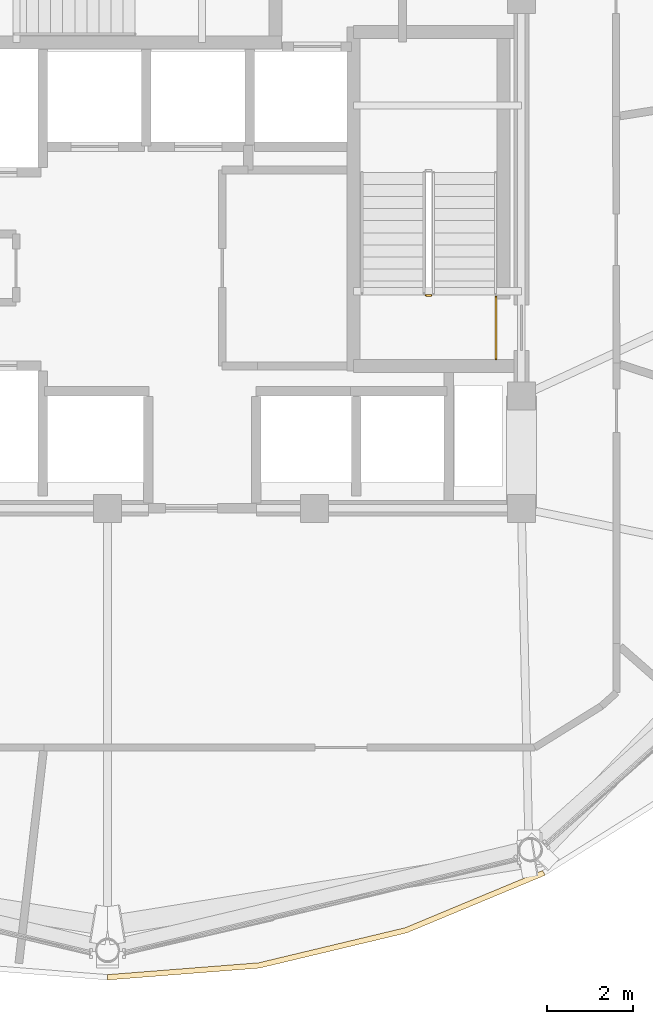
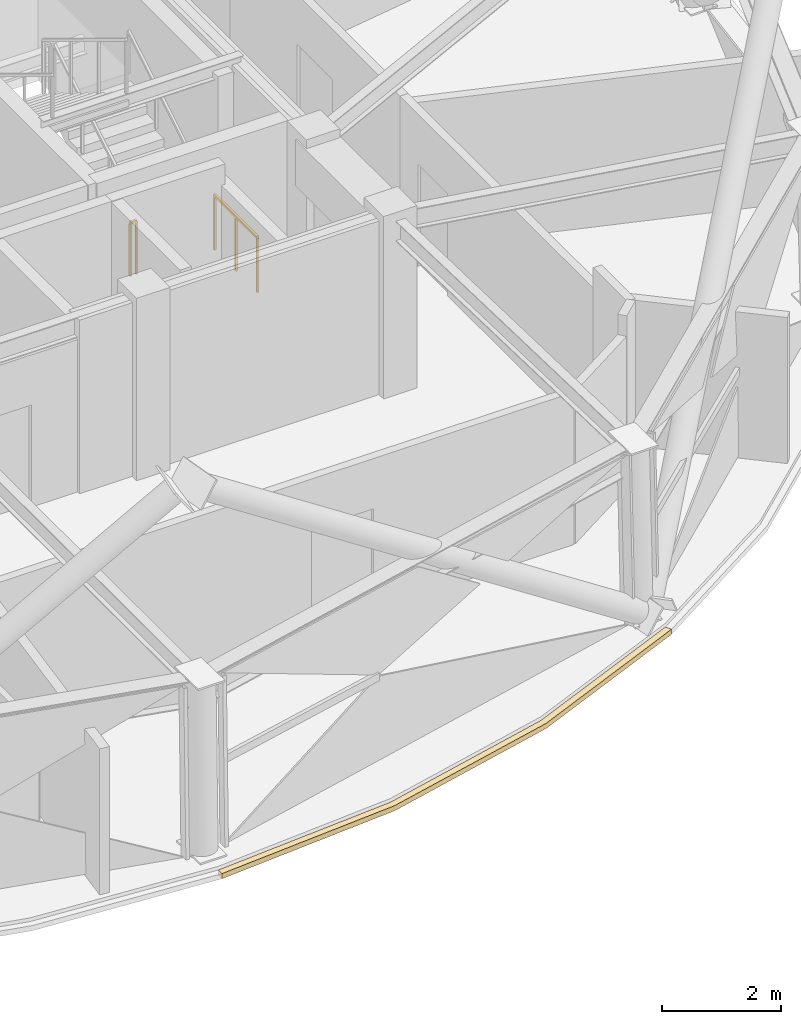
# One storey, part 13 of 15: 2 railings, 1 covering.
"""IFC4 building model written with IfcOpenShell, lengths in metres."""

from ifc_helpers import new_model, si_unit, direction, frame, origin, origin_2d, place, context, subcontext, project, spatial, polyline, rectangle, outline, extrude, material, layer, layer_set, type_object, element, save


model = new_model("IFC4")

# Units and contexts
model_context = context("Model", 3, precision=1e-05, world=origin(), true_north=direction((0.0, 1.0)))
body_context = subcontext(model_context, "Body", "Model", "MODEL_VIEW")
ifc_project = project(units=[si_unit("LENGTHUNIT", "METRE"), si_unit("AREAUNIT", "SQUARE_METRE"), si_unit("VOLUMEUNIT", "CUBIC_METRE"), si_unit("PLANEANGLEUNIT", "RADIAN"), si_unit("MASSUNIT", "GRAM", prefix="KILO")], contexts=[model_context])

# Site, building, storey
site_placement = place(None, origin())
site = spatial("IfcSite", under=ifc_project, at=site_placement, CompositionType="ELEMENT")
building_placement = place(site_placement, origin())
building = spatial("IfcBuilding", under=site, at=building_placement, Name="Vantalir Tower", CompositionType="ELEMENT")
storey_placement = place(building_placement, frame((0.0, 0.0, 275.10009765625)))
storey = spatial("IfcBuildingStorey", under=building, at=storey_placement, Name="L69", CompositionType="ELEMENT", Elevation=275.10009765625)

# Covering
ifc_material_1 = material(Name="Anodised champagne aluminium sill fascia", Category="aluminium")
ifc_layer = layer(ifc_material_1, 0.125)
ifc_layer_set = layer_set([ifc_layer], Name="Anodised champagne aluminium sill fascia")
covering_type = type_object("IfcCoveringType", Name="COV-SLAB-FASCIA-125", PredefinedType="CLADDING", material=ifc_layer_set)
covering_placement = place(storey_placement, frame((0.0, 0.0, -0.18017578125)))
element("IfcCovering", 1, at=covering_placement, inside=storey, type_object=covering_type, Name="L69 Perimeter Slab-Edge Sill Fascia 10", PredefinedType="CLADDING", context=body_context, shape_type="SweptSolid", body=[
    extrude(outline(polyline([(31.5, 6.85693359375), (35.02587890625, 7.133056640625), (38.445068359375, 7.950927734375), (41.653076171875, 9.2880859375), (41.590087890625, 9.39599609375), (38.402099609375, 8.069091796875), (35.00390625, 7.256103515625), (31.5, 6.98193359375), (31.5, 6.85693359375)])), origin(), (0.0, 0.0, 1.0), 0.10498046875),
])

# Railings
ifc_material_2 = material(Name="Anodised aluminium and stainless steel guard", Category="steel")
railing_type = type_object("IfcRailingType", Name="RAL-GUARD-1120", PredefinedType="GUARDRAIL", material=ifc_material_2)
railing_1_placement = place(storey_placement, frame((39.010009765625, 22.739990234375, 0.0)))
element("IfcRailing", 2, at=railing_1_placement, inside=storey, type_object=railing_type, Name="L69 ST2 stair guard 4", PredefinedType="GUARDRAIL", context=body_context, shape_type="SweptSolid", body=[
    extrude(rectangle(XDim=0.048095703125, YDim=0.048095703125, at=origin_2d()), frame((0.0, 0.0, 1.09619140625), z_axis=(-1.0, 0.0, 0.0), x_axis=(0.0, -1.0, 0.0)), (0.0, 0.0, 1.0), 0.1201171875),
    extrude(rectangle(XDim=0.0419921875, YDim=0.0419921875, at=origin_2d()), origin(), (0.0, 0.0, 1.0), 1.072021484375),
    extrude(rectangle(XDim=0.0419921875, YDim=0.0419921875, at=origin_2d()), frame((-0.1201171875, 0.0, 0.0)), (0.0, 0.0, 1.0), 1.072021484375),
])
railing_2_placement = place(storey_placement, frame((40.510009765625, 21.260009765625, 0.0)))
element("IfcRailing", 3, at=railing_2_placement, inside=storey, type_object=railing_type, Name="L69 Stair ST2 Doorway Landing Guard", PredefinedType="GUARDRAIL", context=body_context, shape_type="SweptSolid", body=[
    extrude(rectangle(XDim=0.048095703125, YDim=0.048095703125, at=origin_2d()), frame((0.0, 0.0, 1.1259765625), z_axis=(0.0, 1.0, 0.0), x_axis=(-1.0, 0.0, 0.0)), (0.0, 0.0, 1.0), 1.43994140625),
    extrude(rectangle(XDim=0.0419921875, YDim=0.0419921875, at=origin_2d()), origin(), (0.0, 0.0, 1.0), 1.101806640625),
    extrude(rectangle(XDim=0.0419921875, YDim=0.0419921875, at=origin_2d()), frame((0.0, 0.719970703125, 0.0)), (0.0, 0.0, 1.0), 1.101806640625),
    extrude(rectangle(XDim=0.0419921875, YDim=0.0419921875, at=origin_2d()), frame((0.0, 1.43994140625, 0.0)), (0.0, 0.0, 1.0), 1.101806640625),
])

save(model, "model.ifc")
